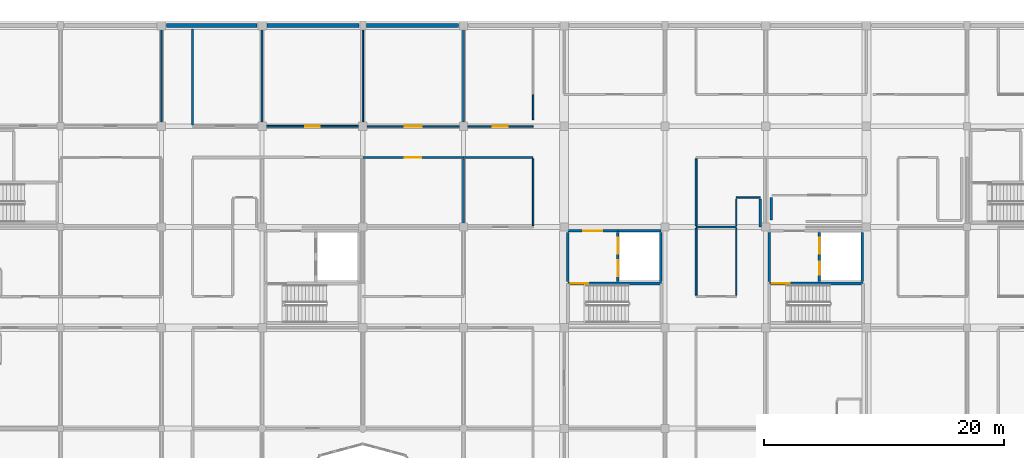
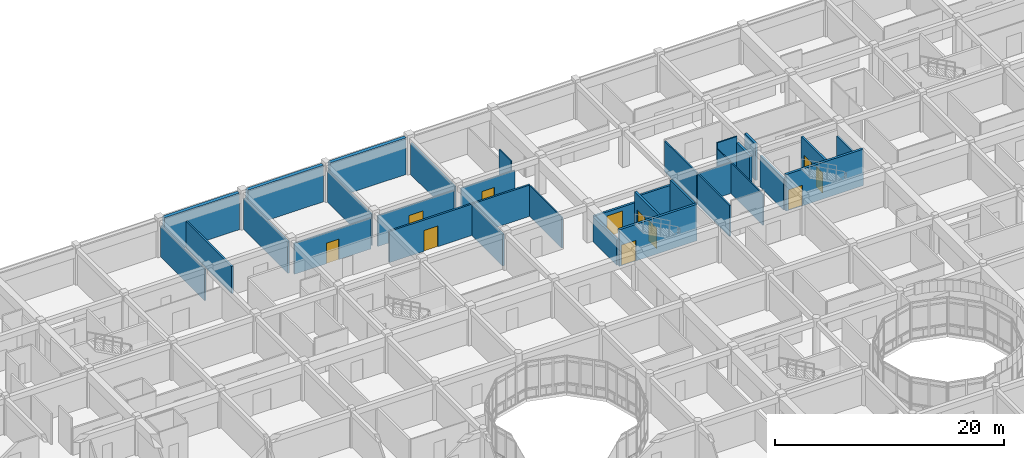
# One storey, part 93 of 119: 34 walls, 11 doors, 11 openings.
"""IFC4 building model written with IfcOpenShell, lengths in metres."""

import ifcopenshell
import ifcopenshell.guid

model = None  # the IFC model being written
_history = None  # IfcOwnerHistory: only IFC2X3 demands one
_inside = {}  # id of a spatial element -> (the spatial element, [elements in it])
_under = {}  # id of a project, library or spatial element -> (it, [spatial elements below it])
_declared = {}  # id of a project -> (the project, [libraries it declares])
_typed = {}  # id of a type object -> (the type object, [elements of that type])
_made_of = {}  # id of a material, layer set ... -> (it, [elements and type objects made of it])


def new_model(schema):
    """Start an empty IFC model of exactly this schema.

    Asked for "IFC4X3", IfcOpenShell would pick the latest addendum, in which some entities
    have other attributes; the version numbers below select the first issue.
    IFC2X3 requires an IfcOwnerHistory on every rooted entity: one is made here for all.
    """
    global model, _history
    if schema == "IFC4X3":
        model = ifcopenshell.file(schema_version=(4, 3, 0, 0))
    else:
        model = ifcopenshell.file(schema=schema)
    _inside.clear()
    _under.clear()
    _declared.clear()
    _typed.clear()
    _made_of.clear()
    _history = None
    if model.schema == "IFC2X3":
        org = make("IfcOrganization", Name="unknown")
        user = make(
            "IfcPersonAndOrganization",
            ThePerson=make("IfcPerson", FamilyName="unknown"),
            TheOrganization=org,
        )
        app = make(
            "IfcApplication",
            ApplicationDeveloper=org,
            Version="unknown",
            ApplicationFullName="unknown",
            ApplicationIdentifier="unknown",
        )
        _history = make(
            "IfcOwnerHistory",
            OwningUser=user,
            OwningApplication=app,
            ChangeAction="ADDED",
            CreationDate=0,
        )
    return model


def make(cls, **values):
    """One entity of the class cls with the attributes given. An attribute that is None is left unset."""
    return model.create_entity(
        cls, **{name: value for name, value in values.items() if value is not None}
    )


def rooted(cls, **values):
    """An entity with a GlobalId (a new one), such as an element, a storey or a relation."""
    return make(cls, GlobalId=ifcopenshell.guid.new(), OwnerHistory=_history, **values)


def si_unit(unit_type, name, prefix=None):
    """IfcSIUnit, for example si_unit("LENGTHUNIT", "METRE", prefix="MILLI")."""
    return make("IfcSIUnit", UnitType=unit_type, Prefix=prefix, Name=name)


def assignment(units):
    """IfcUnitAssignment: the units of a project."""
    return None if units is None else make("IfcUnitAssignment", Units=units)


def point(xyz):
    """IfcCartesianPoint."""
    return None if xyz is None else make("IfcCartesianPoint", Coordinates=xyz)


def direction(xyz):
    """IfcDirection."""
    return None if xyz is None else make("IfcDirection", DirectionRatios=xyz)


def frame(location, z_axis=None, x_axis=None):
    """IfcAxis2Placement3D, a coordinate frame: its origin and axes. An axis left out is left unset."""
    return make(
        "IfcAxis2Placement3D",
        Location=point(location),
        Axis=direction(z_axis),
        RefDirection=direction(x_axis),
    )


def frame_2d(location, x_axis=None):
    """IfcAxis2Placement2D, a coordinate frame in the plane: its origin and x axis."""
    return make(
        "IfcAxis2Placement2D", Location=point(location), RefDirection=direction(x_axis)
    )


def origin():
    """The frame at (0, 0, 0) with its axes left unset."""
    return frame((0.0, 0.0, 0.0))


def place(relative_to, where):
    """IfcLocalPlacement: puts the frame where relative to a parent placement (None: the world)."""
    return make(
        "IfcLocalPlacement", PlacementRelTo=relative_to, RelativePlacement=where
    )


def context(
    kind, dimensions, precision=None, world=None, true_north=None, identifier=None
):
    """IfcGeometricRepresentationContext, for example the 3D "Model" context."""
    return make(
        "IfcGeometricRepresentationContext",
        ContextIdentifier=identifier,
        ContextType=kind,
        CoordinateSpaceDimension=dimensions,
        Precision=precision,
        WorldCoordinateSystem=world,
        TrueNorth=true_north,
    )


def subcontext(parent, identifier, kind, view, scale=None):
    """IfcGeometricRepresentationSubContext, for example "Body" below "Model"."""
    return make(
        "IfcGeometricRepresentationSubContext",
        ContextIdentifier=identifier,
        ContextType=kind,
        ParentContext=parent,
        TargetScale=scale,
        TargetView=view,
    )


def project(units=None, contexts=None):
    """IfcProject with its units and contexts."""
    return rooted(
        "IfcProject",
        Name="project",
        RepresentationContexts=contexts,
        UnitsInContext=assignment(units),
    )


def spatial(cls, under=None, at=None, **own):
    """A site, building, storey or space (cls), placed at a placement, below another one or the project."""
    s = rooted(cls, ObjectPlacement=at, **own)
    if under is not None:
        _under.setdefault(under.id(), (under, []))[1].append(s)
    return s


def profile(cls, at=None, kind="AREA", **sizes):
    """A parametric profile (cls). Its sizes go by their IFC names, for example OverallWidth=200.0."""
    return make(cls, ProfileType=kind, Position=at, **sizes)


def rectangle(**sizes):
    """IfcRectangleProfileDef."""
    return profile("IfcRectangleProfileDef", **sizes)


def extrude(swept, where, along, depth):
    """IfcExtrudedAreaSolid: the profile swept, set in the frame where, extruded along a direction by depth."""
    return make(
        "IfcExtrudedAreaSolid",
        SweptArea=swept,
        Position=where,
        ExtrudedDirection=direction(along),
        Depth=depth,
    )


def shape(context_of_items, identifier, shape_type, items):
    """IfcShapeRepresentation: the items that make up one representation, for example the "Body"."""
    return make(
        "IfcShapeRepresentation",
        ContextOfItems=context_of_items,
        RepresentationIdentifier=identifier,
        RepresentationType=shape_type,
        Items=items,
    )


def material(Name=None, Category=None):
    """IfcMaterial."""
    return make("IfcMaterial", Name=Name, Category=Category)


def layer(
    of_material, thickness, ventilated=None, Name=None, Category=None, Priority=None
):
    """IfcMaterialLayer: one layer of a wall or slab, of a material (None: an air gap)."""
    return make(
        "IfcMaterialLayer",
        Material=of_material,
        LayerThickness=thickness,
        IsVentilated=ventilated,
        Name=Name,
        Category=Category,
        Priority=Priority,
    )


def layer_set(layers, Name=None):
    """IfcMaterialLayerSet."""
    return make("IfcMaterialLayerSet", MaterialLayers=layers, LayerSetName=Name)


def made_of(thing, what):
    """Note that an element or type object is made of a material, layer set ...; save() writes the relation."""
    if what is not None:
        _made_of.setdefault(what.id(), (what, []))[1].append(thing)
    return thing


def type_object(cls, material=None, **own):
    """A type object (cls), such as IfcWallType, which elements share."""
    return made_of(rooted(cls, **own), material)


def element(
    cls,
    number,
    at=None,
    inside=None,
    cuts=None,
    type_object=None,
    material=None,
    context=None,
    identifier="Body",
    shape_type=None,
    held_by="IfcProductDefinitionShape",
    body=None,
    shapes=None,
    **own,
):
    """One element of the class cls, such as IfcWall. Its Tag is "e" and its number.

    at: its placement. inside: the storey or other place that contains it. cuts: it is an
    opening in that element (IfcRelVoidsElement). A single representation is given by context,
    identifier, shape_type and body (its items); several are given by shapes. held_by: the class
    of the entity that holds the representations. save() writes the other relations.
    """
    e = rooted(cls, Tag="e%d" % number, ObjectPlacement=at, **own)
    if body is not None:
        shapes = [shape(context, identifier, shape_type, body)]
    if shapes is not None:
        e.Representation = make(held_by, Representations=shapes)
    if inside is not None:
        _inside.setdefault(inside.id(), (inside, []))[1].append(e)
    if cuts is not None:
        rooted(
            "IfcRelVoidsElement", RelatingBuildingElement=cuts, RelatedOpeningElement=e
        )
    if type_object is not None:
        _typed.setdefault(type_object.id(), (type_object, []))[1].append(e)
    return made_of(e, material)


def fill(opening, filler):
    """IfcRelFillsElement: the door or window that sits in an opening."""
    return rooted(
        "IfcRelFillsElement",
        RelatingOpeningElement=opening,
        RelatedBuildingElement=filler,
    )


def aggregate(whole, parts):
    """IfcRelAggregates: a whole, such as a stair, and the parts it consists of."""
    return rooted("IfcRelAggregates", RelatingObject=whole, RelatedObjects=parts)


def save(model, path):
    """Write the relations noted so far, then the file.

    IfcRelAggregates (storeys below a building ...), IfcRelContainedInSpatialStructure (elements
    in a storey), IfcRelDefinesByType, IfcRelAssociatesMaterial and IfcRelDeclares: one each for
    every whole, place, type object, material and project.
    """
    for whole, parts in _under.values():
        aggregate(whole, parts)
    for where, things in _inside.values():
        rooted(
            "IfcRelContainedInSpatialStructure",
            RelatedElements=things,
            RelatingStructure=where,
        )
    for kind, things in _typed.values():
        rooted("IfcRelDefinesByType", RelatedObjects=things, RelatingType=kind)
    for what, things in _made_of.values():
        rooted("IfcRelAssociatesMaterial", RelatedObjects=things, RelatingMaterial=what)
    for by, libraries in _declared.values():
        rooted("IfcRelDeclares", RelatingContext=by, RelatedDefinitions=libraries)
    model.write(path)


model = new_model("IFC4")

# Units and contexts
model_context = context("Model", 3, precision=1e-05, world=origin(), true_north=direction((0.0, 1.0)))
body_context = subcontext(model_context, "Body", "Model", "MODEL_VIEW")
ifc_project = project(units=[si_unit("LENGTHUNIT", "METRE"), si_unit("AREAUNIT", "SQUARE_METRE"), si_unit("VOLUMEUNIT", "CUBIC_METRE"), si_unit("PLANEANGLEUNIT", "RADIAN"), si_unit("MASSUNIT", "GRAM", prefix="KILO")], contexts=[model_context])

# Site, building, storey
site_placement = place(None, origin())
site = spatial("IfcSite", under=ifc_project, at=site_placement, CompositionType="ELEMENT")
building_placement = place(site_placement, origin())
building = spatial("IfcBuilding", under=site, at=building_placement, Name="Bramfleet General Hospital", CompositionType="ELEMENT")
storey_placement = place(building_placement, frame((0.0, 0.0, 14.39990234375)))
storey = spatial("IfcBuildingStorey", under=building, at=storey_placement, Name="L03", CompositionType="ELEMENT", Elevation=14.39990234375)

# Walls
ifc_material_1 = material(Name="Concrete C35/45", Category="concrete")
ifc_layer_1 = layer(ifc_material_1, 0.360107421875, Name="WT-EW-02")
ifc_layer_set_1 = layer_set([ifc_layer_1], Name="Concrete C35/45")
wall_type_1 = type_object("IfcWallType", Name="WT-EW-02", PredefinedType="SOLIDWALL", material=ifc_layer_set_1)
wall_1_placement = place(storey_placement, frame((67.625, 117.60009765625, 0.0), z_axis=(0.0, 0.0, 1.0), x_axis=(1.0, 0.0, 0.0)))
element("IfcWall", 1, at=wall_1_placement, inside=storey, type_object=wall_type_1, Name="L03 North REI 90-M Party Wall 245", PredefinedType="SOLIDWALL", context=body_context, shape_type="SweptSolid", body=[
    extrude(rectangle(XDim=7.550048828125, YDim=0.360107421875, at=frame_2d((3.77490234375, 0.0))), origin(), (0.0, 0.0, 1.0), 3.900146484375),
])
for number, where, z_axis, x_axis, name in (
    (2, (76.02490234375, 117.60009765625, 0.0), (0.0, 0.0, 1.0), (1.0, 0.0, 0.0), "L03 North REI 90-M Party Wall 246"),
    (3, (84.324951171875, 117.60009765625, 0.0), (0.0, 0.0, 1.0), (1.0, 0.0, 0.0), "L03 North REI 90-M Party Wall 247"),
):
    element("IfcWall", number, at=place(storey_placement, frame(where, z_axis=z_axis, x_axis=x_axis)), inside=storey, type_object=wall_type_1, Name=name, PredefinedType="SOLIDWALL", context=body_context, shape_type="SweptSolid", body=[
        extrude(rectangle(XDim=7.650146484375, YDim=0.360107421875, at=frame_2d((3.8251953125, 0.0))), origin(), (0.0, 0.0, 1.0), 3.900146484375),
    ])
ifc_layer_2 = layer(ifc_material_1, 0.219970703125, Name="WT-IW-01")
ifc_layer_set_2 = layer_set([ifc_layer_2], Name="Concrete C35/45")
wall_type_2 = type_object("IfcWallType", Name="WT-IW-01", PredefinedType="PARTITIONING", material=ifc_layer_set_2)
wall_2_placement = place(storey_placement, frame((117.14990234375, 100.800048828125, 0.0), z_axis=(0.0, 0.0, 1.0), x_axis=(0.0, 1.0, 0.0)))
element("IfcWall", 4, at=wall_2_placement, inside=storey, type_object=wall_type_2, Name="L03 Interior Partition IW-L03-2977", PredefinedType="PARTITIONING", context=body_context, shape_type="SweptSolid", body=[
    extrude(rectangle(XDim=2.3349609375, YDim=0.219970703125, at=frame_2d((1.16748046875, 0.0))), origin(), (0.0, 0.0, 1.0), 3.2900390625),
])

# Wall, openings, doors
ifc_layer_3 = layer(ifc_material_1, 0.205078125, Name="WT-IW-02")
ifc_layer_set_3 = layer_set([ifc_layer_3], Name="Concrete C35/45")
wall_type_3 = type_object("IfcWallType", Name="WT-IW-02", PredefinedType="PARTITIONING", material=ifc_layer_set_3)
wall_3_placement = place(storey_placement, frame((105.280029296875, 96.239990234375, 0.0), z_axis=(0.0, 0.0, 1.0), x_axis=(0.0, 1.0, 0.0)))
wall_3 = element("IfcWall", 5, at=wall_3_placement, inside=storey, type_object=wall_type_3, Name="L03 C4 Lobby East Shaft Wall", PredefinedType="PARTITIONING", context=body_context, shape_type="SweptSolid", body=[
    extrude(rectangle(XDim=4.1201171875, YDim=0.205078125, at=frame_2d((2.06005859375, 0.0))), origin(), (0.0, 0.0, 1.0), 3.89013671875),
])
opening_1_placement = place(wall_3_placement, frame((0.445068359375, 0.0, 0.0)))
opening_1 = element("IfcOpeningElement", 6, at=opening_1_placement, cuts=wall_3, Name="Opening LD-FL-02-L03", PredefinedType="OPENING", context=body_context, shape_type="SweptSolid", body=[
    extrude(rectangle(XDim=1.35009765625, YDim=2.199951171875, at=frame_2d((0.675048828125, 1.10009765625))), frame((0.0, 0.112548828125, 0.0), z_axis=(0.0, -1.0, 0.0), x_axis=(1.0, 0.0, 0.0)), (0.0, 0.0, 1.0), 0.22509765625),
])
opening_2_placement = place(wall_3_placement, frame((2.324951171875, 0.0, 0.0)))
opening_2 = element("IfcOpeningElement", 7, at=opening_2_placement, cuts=wall_3, Name="Opening LD-BL-04-L03", PredefinedType="OPENING", context=body_context, shape_type="SweptSolid", body=[
    extrude(rectangle(XDim=1.35009765625, YDim=2.199951171875, at=frame_2d((0.675048828125, 1.10009765625))), frame((0.0, 0.112548828125, 0.0), z_axis=(0.0, -1.0, 0.0), x_axis=(1.0, 0.0, 0.0)), (0.0, 0.0, 1.0), 0.22509765625),
])
ifc_material_2 = material(Name="Brushed stainless steel 1.4301", Category="steel")
door_type_1 = type_object("IfcDoorType", Name="DR-LD-01", OperationType="NOTDEFINED", PredefinedType="DOOR", material=ifc_material_2)
door_1_placement = place(opening_1_placement, origin())
door_1 = element("IfcDoor", 8, at=door_1_placement, inside=storey, type_object=door_type_1, Name="L03 Lift FL-02 Sliding Landing Door", OperationType="SLIDING_TO_LEFT", OverallHeight=2.199951171875, OverallWidth=1.35009765625, PredefinedType="DOOR", context=body_context, shape_type="SweptSolid", body=[
    extrude(rectangle(XDim=1.35009765625, YDim=2.199951171875, at=frame_2d((0.675048828125, 1.10009765625))), frame((0.0, 0.02490234375, 0.0), z_axis=(0.0, -1.0, 0.0), x_axis=(1.0, 0.0, 0.0)), (0.0, 0.0, 1.0), 0.050048828125),
])
fill(opening_1, door_1)
door_2_placement = place(opening_2_placement, origin())
door_2 = element("IfcDoor", 9, at=door_2_placement, inside=storey, type_object=door_type_1, Name="L03 Lift BL-04 Sliding Landing Door", OperationType="SLIDING_TO_LEFT", OverallHeight=2.199951171875, OverallWidth=1.35009765625, PredefinedType="DOOR", context=body_context, shape_type="SweptSolid", body=[
    extrude(rectangle(XDim=1.35009765625, YDim=2.199951171875, at=frame_2d((0.675048828125, 1.10009765625))), frame((0.0, 0.02490234375, 0.0), z_axis=(0.0, -1.0, 0.0), x_axis=(1.0, 0.0, 0.0)), (0.0, 0.0, 1.0), 0.050048828125),
])
fill(opening_2, door_2)

# Walls
wall_4_placement = place(storey_placement, frame((108.85009765625, 96.239990234375, 0.0), z_axis=(0.0, 0.0, 1.0), x_axis=(0.0, 1.0, 0.0)))
element("IfcWall", 10, at=wall_4_placement, inside=storey, type_object=wall_type_3, Name="L03 C4 Lift Shaft East Wall", PredefinedType="PARTITIONING", context=body_context, shape_type="SweptSolid", body=[
    extrude(rectangle(XDim=4.1201171875, YDim=0.205078125, at=frame_2d((2.06005859375, 0.0))), origin(), (0.0, 0.0, 1.0), 3.89013671875),
])
wall_5_placement = place(storey_placement, frame((105.280029296875, 100.47998046875, 0.0), z_axis=(0.0, 0.0, 1.0), x_axis=(1.0, 0.0, 0.0)))
element("IfcWall", 11, at=wall_5_placement, inside=storey, type_object=wall_type_3, Name="L03 C4 Lift Shaft North Wall", PredefinedType="PARTITIONING", context=body_context, shape_type="SweptSolid", body=[
    extrude(rectangle(XDim=3.570068359375, YDim=0.205078125, at=frame_2d((1.78515625, 0.0))), origin(), (0.0, 0.0, 1.0), 3.2900390625),
])
wall_6_placement = place(storey_placement, frame((101.10009765625, 96.239990234375, 0.0), z_axis=(0.0, 0.0, 1.0), x_axis=(0.0, 1.0, 0.0)))
element("IfcWall", 12, at=wall_6_placement, inside=storey, type_object=wall_type_3, Name="L03 C4 Lobby West Compartment Wall", PredefinedType="PARTITIONING", context=body_context, shape_type="SweptSolid", body=[
    extrude(rectangle(XDim=4.1201171875, YDim=0.205078125, at=frame_2d((2.06005859375, 0.0))), origin(), (0.0, 0.0, 1.0), 2.690185546875),
])

# Wall, opening, door
wall_7_placement = place(storey_placement, frame((101.10009765625, 100.47998046875, 0.0), z_axis=(0.0, 0.0, 1.0), x_axis=(1.0, 0.0, 0.0)))
wall_7 = element("IfcWall", 13, at=wall_7_placement, inside=storey, type_object=wall_type_3, Name="L03 C4 Lobby North Compartment Wall", PredefinedType="PARTITIONING", context=body_context, shape_type="SweptSolid", body=[
    extrude(rectangle(XDim=4.179931640625, YDim=0.205078125, at=frame_2d((2.08984375, 0.0))), origin(), (0.0, 0.0, 1.0), 2.690185546875),
])
opening_3_placement = place(wall_7_placement, frame((1.2900390625, 0.0, 0.0)))
opening_3 = element("IfcOpeningElement", 14, at=opening_3_placement, cuts=wall_7, Name="Opening D0046", PredefinedType="OPENING", context=body_context, shape_type="SweptSolid", body=[
    extrude(rectangle(XDim=1.60009765625, YDim=2.25, at=frame_2d((0.800048828125, 1.125))), frame((0.0, 0.112548828125, 0.0), z_axis=(0.0, -1.0, 0.0), x_axis=(1.0, 0.0, 0.0)), (0.0, 0.0, 1.0), 0.22509765625),
])
ifc_material_3 = material(Name="Stainless steel and acoustic timber leaf", Category="steel")
door_type_2 = type_object("IfcDoorType", Name="DR-D-04", OperationType="NOTDEFINED", PredefinedType="DOOR", material=ifc_material_3)
door_3_placement = place(opening_3_placement, origin())
door_3 = element("IfcDoor", 15, at=door_3_placement, inside=storey, type_object=door_type_2, Name="L03 C4 Lobby Fire Door D0046", OperationType="DOUBLE_SWING_LEFT", OverallHeight=2.25, OverallWidth=1.60009765625, PredefinedType="DOOR", context=body_context, shape_type="SweptSolid", body=[
    extrude(rectangle(XDim=1.60009765625, YDim=2.25, at=frame_2d((0.800048828125, 1.125))), frame((0.0, 0.02490234375, 0.0), z_axis=(0.0, -1.0, 0.0), x_axis=(1.0, 0.0, 0.0)), (0.0, 0.0, 1.0), 0.050048828125),
])
fill(opening_3, door_3)

# Wall, openings, doors
wall_8_placement = place(storey_placement, frame((122.080078125, 96.239990234375, 0.0), z_axis=(0.0, 0.0, 1.0), x_axis=(0.0, 1.0, 0.0)))
wall_8 = element("IfcWall", 16, at=wall_8_placement, inside=storey, type_object=wall_type_3, Name="L03 C6 Lobby East Shaft Wall", PredefinedType="PARTITIONING", context=body_context, shape_type="SweptSolid", body=[
    extrude(rectangle(XDim=4.1201171875, YDim=0.205078125, at=frame_2d((2.06005859375, 0.0))), origin(), (0.0, 0.0, 1.0), 3.89013671875),
])
opening_4_placement = place(wall_8_placement, frame((0.570068359375, 0.0, 0.0)))
opening_4 = element("IfcOpeningElement", 17, at=opening_4_placement, cuts=wall_8, Name="Opening LD-PL-04-L03", PredefinedType="OPENING", context=body_context, shape_type="SweptSolid", body=[
    extrude(rectangle(XDim=1.10009765625, YDim=2.14990234375, at=frame_2d((0.550048828125, 1.074951171875))), frame((0.0, 0.112548828125, 0.0), z_axis=(0.0, -1.0, 0.0), x_axis=(1.0, 0.0, 0.0)), (0.0, 0.0, 1.0), 0.22509765625),
])
opening_5_placement = place(wall_8_placement, frame((2.324951171875, 0.0, 0.0)))
opening_5 = element("IfcOpeningElement", 18, at=opening_5_placement, cuts=wall_8, Name="Opening LD-GL-02-L03", PredefinedType="OPENING", context=body_context, shape_type="SweptSolid", body=[
    extrude(rectangle(XDim=1.35009765625, YDim=2.199951171875, at=frame_2d((0.675048828125, 1.10009765625))), frame((0.0, 0.112548828125, 0.0), z_axis=(0.0, -1.0, 0.0), x_axis=(1.0, 0.0, 0.0)), (0.0, 0.0, 1.0), 0.22509765625),
])
door_4_placement = place(opening_5_placement, origin())
door_4 = element("IfcDoor", 19, at=door_4_placement, inside=storey, type_object=door_type_1, Name="L03 Lift GL-02 Sliding Landing Door", OperationType="SLIDING_TO_LEFT", OverallHeight=2.199951171875, OverallWidth=1.35009765625, PredefinedType="DOOR", context=body_context, shape_type="SweptSolid", body=[
    extrude(rectangle(XDim=1.35009765625, YDim=2.199951171875, at=frame_2d((0.675048828125, 1.10009765625))), frame((0.0, 0.02490234375, 0.0), z_axis=(0.0, -1.0, 0.0), x_axis=(1.0, 0.0, 0.0)), (0.0, 0.0, 1.0), 0.050048828125),
])
fill(opening_5, door_4)
door_type_3 = type_object("IfcDoorType", Name="DR-LD-02", OperationType="NOTDEFINED", PredefinedType="DOOR", material=ifc_material_2)
door_5_placement = place(opening_4_placement, origin())
door_5 = element("IfcDoor", 20, at=door_5_placement, inside=storey, type_object=door_type_3, Name="L03 Lift PL-04 Sliding Landing Door", OperationType="SLIDING_TO_LEFT", OverallHeight=2.14990234375, OverallWidth=1.10009765625, PredefinedType="DOOR", context=body_context, shape_type="SweptSolid", body=[
    extrude(rectangle(XDim=1.10009765625, YDim=2.14990234375, at=frame_2d((0.550048828125, 1.074951171875))), frame((0.0, 0.02490234375, 0.0), z_axis=(0.0, -1.0, 0.0), x_axis=(1.0, 0.0, 0.0)), (0.0, 0.0, 1.0), 0.050048828125),
])
fill(opening_4, door_5)

# Walls
wall_9_placement = place(storey_placement, frame((125.64990234375, 96.239990234375, 0.0), z_axis=(0.0, 0.0, 1.0), x_axis=(0.0, 1.0, 0.0)))
element("IfcWall", 21, at=wall_9_placement, inside=storey, type_object=wall_type_3, Name="L03 C6 Lift Shaft East Wall", PredefinedType="PARTITIONING", context=body_context, shape_type="SweptSolid", body=[
    extrude(rectangle(XDim=4.1201171875, YDim=0.205078125, at=frame_2d((2.06005859375, 0.0))), origin(), (0.0, 0.0, 1.0), 2.690185546875),
])
wall_10_placement = place(storey_placement, frame((117.89990234375, 96.239990234375, 0.0), z_axis=(0.0, 0.0, 1.0), x_axis=(0.0, 1.0, 0.0)))
element("IfcWall", 22, at=wall_10_placement, inside=storey, type_object=wall_type_3, Name="L03 C6 Lobby West Compartment Wall", PredefinedType="PARTITIONING", context=body_context, shape_type="SweptSolid", body=[
    extrude(rectangle(XDim=4.1201171875, YDim=0.205078125, at=frame_2d((2.06005859375, 0.0))), origin(), (0.0, 0.0, 1.0), 3.340087890625),
])
wall_11_placement = place(storey_placement, frame((118.050048828125, 101.364990234375, 0.0), z_axis=(0.0, 0.0, 1.0), x_axis=(0.0, 1.0, 0.0)))
element("IfcWall", 23, at=wall_11_placement, inside=storey, type_object=wall_type_3, Name="L03 Interior Partition IW-L03-2990", PredefinedType="PARTITIONING", context=body_context, shape_type="SweptSolid", body=[
    extrude(rectangle(XDim=1.885009765625, YDim=0.205078125, at=frame_2d((0.9423828125, 0.0))), origin(), (0.0, 0.0, 1.0), 3.89013671875),
])

# Wall, opening, door
ifc_layer_4 = layer(ifc_material_1, 0.18994140625, Name="WT-IW-03")
ifc_layer_set_4 = layer_set([ifc_layer_4], Name="Concrete C35/45")
wall_type_4 = type_object("IfcWallType", Name="WT-IW-03", PredefinedType="PARTITIONING", material=ifc_layer_set_4)
wall_12_placement = place(storey_placement, frame((84.0, 106.60009765625, 0.0), z_axis=(0.0, 0.0, 1.0), x_axis=(1.0, 0.0, 0.0)))
wall_12 = element("IfcWall", 24, at=wall_12_placement, inside=storey, type_object=wall_type_4, Name="L03 Interior Partition IW-L03-2727", PredefinedType="PARTITIONING", context=body_context, shape_type="SweptSolid", body=[
    extrude(rectangle(XDim=8.39990234375, YDim=0.18994140625, at=frame_2d((4.199951171875, 0.0))), origin(), (0.0, 0.0, 1.0), 3.340087890625),
])
opening_6_placement = place(wall_12_placement, frame((3.510009765625, 0.0, 0.0)))
opening_6 = element("IfcOpeningElement", 25, at=opening_6_placement, cuts=wall_12, Name="Opening D1118", PredefinedType="OPENING", context=body_context, shape_type="SweptSolid", body=[
    extrude(rectangle(XDim=1.3798828125, YDim=2.219970703125, at=frame_2d((0.68994140625, 1.10986328125))), frame((0.0, 0.10498046875, 0.0), z_axis=(0.0, -1.0, 0.0), x_axis=(1.0, 0.0, 0.0)), (0.0, 0.0, 1.0), 0.2099609375),
])
door_type_4 = type_object("IfcDoorType", Name="DR-D-30", OperationType="NOTDEFINED", PredefinedType="DOOR", material=ifc_material_3)
door_6_placement = place(opening_6_placement, origin())
door_6 = element("IfcDoor", 26, at=door_6_placement, inside=storey, type_object=door_type_4, Name="Maternity Delivery Suite and Clinical Lab L03-1012 Door D1118", OperationType="SINGLE_SWING_LEFT", OverallHeight=2.219970703125, OverallWidth=1.3798828125, PredefinedType="DOOR", context=body_context, shape_type="SweptSolid", body=[
    extrude(rectangle(XDim=1.3798828125, YDim=2.219970703125, at=frame_2d((0.68994140625, 1.10986328125))), frame((0.0, 0.02490234375, 0.0), z_axis=(0.0, -1.0, 0.0), x_axis=(1.0, 0.0, 0.0)), (0.0, 0.0, 1.0), 0.050048828125),
])
fill(opening_6, door_6)

# Walls
wall_13_placement = place(storey_placement, frame((75.60009765625, 109.544921875, 0.0), z_axis=(0.0, 0.0, 1.0), x_axis=(0.0, 1.0, 0.0)))
element("IfcWall", 27, at=wall_13_placement, inside=storey, type_object=wall_type_4, Name="L03 Interior Partition IW-L03-2907", PredefinedType="PARTITIONING", context=body_context, shape_type="SweptSolid", body=[
    extrude(rectangle(XDim=7.7099609375, YDim=0.18994140625, at=frame_2d((3.85498046875, 0.0))), origin(), (0.0, 0.0, 1.0), 3.340087890625),
])
ifc_layer_5 = layer(ifc_material_1, 0.179931640625, Name="WT-IW-04")
ifc_layer_set_5 = layer_set([ifc_layer_5], Name="Concrete C35/45")
wall_type_5 = type_object("IfcWallType", Name="WT-IW-04", PredefinedType="PARTITIONING", material=ifc_layer_set_5)
wall_14_placement = place(storey_placement, frame((92.39990234375, 106.60009765625, 0.0), z_axis=(0.0, 0.0, 1.0), x_axis=(1.0, 0.0, 0.0)))
element("IfcWall", 28, at=wall_14_placement, inside=storey, type_object=wall_type_5, Name="L03 Interior Partition IW-L03-2728", PredefinedType="PARTITIONING", context=body_context, shape_type="SweptSolid", body=[
    extrude(rectangle(XDim=5.800048828125, YDim=0.179931640625, at=frame_2d((2.89990234375, 0.0))), origin(), (0.0, 0.0, 1.0), 3.340087890625),
])
wall_15_placement = place(storey_placement, frame((92.39990234375, 101.14501953125, 0.0), z_axis=(0.0, 0.0, 1.0), x_axis=(0.0, 1.0, 0.0)))
element("IfcWall", 29, at=wall_15_placement, inside=storey, type_object=wall_type_5, Name="L03 Interior Partition IW-L03-2920", PredefinedType="PARTITIONING", context=body_context, shape_type="SweptSolid", body=[
    extrude(rectangle(XDim=5.340087890625, YDim=0.179931640625, at=frame_2d((2.669921875, 0.0))), origin(), (0.0, 0.0, 1.0), 3.340087890625),
])
ifc_material_4 = material(Name="Gypsum plasterboard on acoustic steel studs", Category="steel")
ifc_layer_6 = layer(ifc_material_4, 0.169921875, Name="WT-IW-05")
ifc_layer_set_6 = layer_set([ifc_layer_6], Name="Gypsum plasterboard on acoustic steel studs")
wall_type_6 = type_object("IfcWallType", Name="WT-IW-05", PredefinedType="PARTITIONING", material=ifc_layer_set_6)
wall_16_placement = place(storey_placement, frame((69.800048828125, 109.31494140625, 0.0), z_axis=(0.0, 0.0, 1.0), x_axis=(0.0, 1.0, 0.0)))
element("IfcWall", 30, at=wall_16_placement, inside=storey, type_object=wall_type_6, Name="L03 Interior Partition IW-L03-2897", PredefinedType="PARTITIONING", context=body_context, shape_type="SweptSolid", body=[
    extrude(rectangle(XDim=8.005126953125, YDim=0.169921875, at=frame_2d((4.00244140625, 0.0))), origin(), (0.0, 0.0, 1.0), 2.89013671875),
])
wall_17_placement = place(storey_placement, frame((92.39990234375, 109.544921875, 0.0), z_axis=(0.0, 0.0, 1.0), x_axis=(0.0, 1.0, 0.0)))
element("IfcWall", 31, at=wall_17_placement, inside=storey, type_object=wall_type_6, Name="L03 Interior Partition IW-L03-2921", PredefinedType="PARTITIONING", context=body_context, shape_type="SweptSolid", body=[
    extrude(rectangle(XDim=7.7099609375, YDim=0.169921875, at=frame_2d((3.85498046875, 0.0))), origin(), (0.0, 0.0, 1.0), 3.340087890625),
])
ifc_layer_7 = layer(ifc_material_4, 0.159912109375, Name="WT-IW-06")
ifc_layer_set_7 = layer_set([ifc_layer_7], Name="Gypsum plasterboard on acoustic steel studs")
wall_type_7 = type_object("IfcWallType", Name="WT-IW-06", PredefinedType="PARTITIONING", material=ifc_layer_set_7)
wall_18_placement = place(storey_placement, frame((111.800048828125, 95.114990234375, 0.0), z_axis=(0.0, 0.0, 1.0), x_axis=(0.0, 1.0, 0.0)))
element("IfcWall", 32, at=wall_18_placement, inside=storey, type_object=wall_type_7, Name="L03 Interior Partition IW-L03-2970", PredefinedType="PARTITIONING", context=body_context, shape_type="SweptSolid", body=[
    extrude(rectangle(XDim=5.570068359375, YDim=0.159912109375, at=frame_2d((2.78515625, 0.0))), origin(), (0.0, 0.0, 1.0), 3.2900390625),
])
ifc_layer_8 = layer(ifc_material_4, 0.14990234375, Name="WT-IW-07")
ifc_layer_set_8 = layer_set([ifc_layer_8], Name="Gypsum plasterboard on acoustic steel studs")
wall_type_8 = type_object("IfcWallType", Name="WT-IW-07", PredefinedType="PARTITIONING", material=ifc_layer_set_8)
wall_19_placement = place(storey_placement, frame((111.800048828125, 100.9150390625, 0.0), z_axis=(0.0, 0.0, 1.0), x_axis=(0.0, 1.0, 0.0)))
element("IfcWall", 33, at=wall_19_placement, inside=storey, type_object=wall_type_8, Name="L03 Interior Partition IW-L03-2971", PredefinedType="PARTITIONING", context=body_context, shape_type="SweptSolid", body=[
    extrude(rectangle(XDim=5.570068359375, YDim=0.14990234375, at=frame_2d((2.78515625, 0.0))), origin(), (0.0, 0.0, 1.0), 3.2900390625),
])

# Wall, opening, door
ifc_layer_9 = layer(ifc_material_4, 0.139892578125, Name="WT-IW-08")
ifc_layer_set_9 = layer_set([ifc_layer_9], Name="Gypsum plasterboard on acoustic steel studs")
wall_type_9 = type_object("IfcWallType", Name="WT-IW-08", PredefinedType="PARTITIONING", material=ifc_layer_set_9)
wall_20_placement = place(storey_placement, frame((75.945068359375, 109.199951171875, 0.0), z_axis=(0.0, 0.0, 1.0), x_axis=(1.0, 0.0, 0.0)))
wall_20 = element("IfcWall", 34, at=wall_20_placement, inside=storey, type_object=wall_type_9, Name="L03 Interior Partition IW-L03-2744", PredefinedType="PARTITIONING", context=body_context, shape_type="SweptSolid", body=[
    extrude(rectangle(XDim=7.7099609375, YDim=0.139892578125, at=frame_2d((3.85498046875, 0.0))), origin(), (0.0, 0.0, 1.0), 3.2900390625),
])
opening_7_placement = place(wall_20_placement, frame((3.2451171875, 0.0, 0.0)))
opening_7 = element("IfcOpeningElement", 35, at=opening_7_placement, cuts=wall_20, Name="Opening D1111", PredefinedType="OPENING", context=body_context, shape_type="SweptSolid", body=[
    extrude(rectangle(XDim=1.219970703125, YDim=2.179931640625, at=frame_2d((0.60986328125, 1.08984375))), frame((0.0, 0.079833984375, 0.0), z_axis=(0.0, -1.0, 0.0), x_axis=(1.0, 0.0, 0.0)), (0.0, 0.0, 1.0), 0.159912109375),
])
door_type_5 = type_object("IfcDoorType", Name="DR-D-23", OperationType="NOTDEFINED", PredefinedType="DOOR", material=ifc_material_3)
door_7_placement = place(opening_7_placement, origin())
door_7 = element("IfcDoor", 36, at=door_7_placement, inside=storey, type_object=door_type_5, Name="Maternity Delivery Suite and Clinical Lab L03-0913 Door D1111", OperationType="SINGLE_SWING_RIGHT", OverallHeight=2.179931640625, OverallWidth=1.219970703125, PredefinedType="DOOR", context=body_context, shape_type="SweptSolid", body=[
    extrude(rectangle(XDim=1.219970703125, YDim=2.179931640625, at=frame_2d((0.60986328125, 1.08984375))), frame((0.0, 0.02490234375, 0.0), z_axis=(0.0, -1.0, 0.0), x_axis=(1.0, 0.0, 0.0)), (0.0, 0.0, 1.0), 0.050048828125),
])
fill(opening_7, door_7)

# Walls
ifc_layer_10 = layer(ifc_material_4, 0.1298828125, Name="WT-IW-09")
ifc_layer_set_10 = layer_set([ifc_layer_10], Name="Gypsum plasterboard on acoustic steel studs")
wall_type_10 = type_object("IfcWallType", Name="WT-IW-09", PredefinedType="PARTITIONING", material=ifc_layer_set_10)
wall_21_placement = place(storey_placement, frame((111.800048828125, 100.800048828125, 0.0), z_axis=(0.0, 0.0, 1.0), x_axis=(1.0, 0.0, 0.0)))
element("IfcWall", 37, at=wall_21_placement, inside=storey, type_object=wall_type_10, Name="L03 Interior Partition IW-L03-2697", PredefinedType="PARTITIONING", context=body_context, shape_type="SweptSolid", body=[
    extrude(rectangle(XDim=3.349853515625, YDim=0.1298828125, at=frame_2d((1.6748046875, 0.0))), origin(), (0.0, 0.0, 1.0), 3.2900390625),
])
wall_22_placement = place(storey_placement, frame((115.14990234375, 103.25, 0.0), z_axis=(0.0, 0.0, 1.0), x_axis=(1.0, 0.0, 0.0)))
element("IfcWall", 38, at=wall_22_placement, inside=storey, type_object=wall_type_10, Name="L03 Interior Partition IW-L03-2709", PredefinedType="PARTITIONING", context=body_context, shape_type="SweptSolid", body=[
    extrude(rectangle(XDim=2.0, YDim=0.1298828125, at=frame_2d((1.0, 0.0))), origin(), (0.0, 0.0, 1.0), 3.89013671875),
])

# Wall, opening, door
wall_23_placement = place(storey_placement, frame((84.344970703125, 109.199951171875, 0.0), z_axis=(0.0, 0.0, 1.0), x_axis=(1.0, 0.0, 0.0)))
wall_23 = element("IfcWall", 39, at=wall_23_placement, inside=storey, type_object=wall_type_10, Name="L03 Interior Partition IW-L03-2745", PredefinedType="PARTITIONING", context=body_context, shape_type="SweptSolid", body=[
    extrude(rectangle(XDim=7.7099609375, YDim=0.1298828125, at=frame_2d((3.85498046875, 0.0))), origin(), (0.0, 0.0, 1.0), 3.2900390625),
])
opening_8_placement = place(wall_23_placement, frame((3.14501953125, 0.0, 0.0)))
opening_8 = element("IfcOpeningElement", 40, at=opening_8_placement, cuts=wall_23, Name="Opening D1119", PredefinedType="OPENING", context=body_context, shape_type="SweptSolid", body=[
    extrude(rectangle(XDim=1.419921875, YDim=2.219970703125, at=frame_2d((0.7099609375, 1.10986328125))), frame((0.0, 0.074951171875, 0.0), z_axis=(0.0, -1.0, 0.0), x_axis=(1.0, 0.0, 0.0)), (0.0, 0.0, 1.0), 0.14990234375),
])
door_type_6 = type_object("IfcDoorType", Name="DR-D-31", OperationType="NOTDEFINED", PredefinedType="DOOR", material=ifc_material_3)
door_8_placement = place(opening_8_placement, origin())
door_8 = element("IfcDoor", 41, at=door_8_placement, inside=storey, type_object=door_type_6, Name="Maternity Delivery Suite and Clinical Lab L03-1013 Door D1119", OperationType="SINGLE_SWING_RIGHT", OverallHeight=2.219970703125, OverallWidth=1.419921875, PredefinedType="DOOR", context=body_context, shape_type="SweptSolid", body=[
    extrude(rectangle(XDim=1.419921875, YDim=2.219970703125, at=frame_2d((0.7099609375, 1.10986328125))), frame((0.0, 0.02490234375, 0.0), z_axis=(0.0, -1.0, 0.0), x_axis=(1.0, 0.0, 0.0)), (0.0, 0.0, 1.0), 0.050048828125),
])
fill(opening_8, door_8)

# Walls
wall_24_placement = place(storey_placement, frame((67.199951171875, 109.544921875, 0.0), z_axis=(0.0, 0.0, 1.0), x_axis=(0.0, 1.0, 0.0)))
element("IfcWall", 42, at=wall_24_placement, inside=storey, type_object=wall_type_10, Name="L03 Interior Partition IW-L03-2889", PredefinedType="PARTITIONING", context=body_context, shape_type="SweptSolid", body=[
    extrude(rectangle(XDim=7.7099609375, YDim=0.1298828125, at=frame_2d((3.85498046875, 0.0))), origin(), (0.0, 0.0, 1.0), 3.340087890625),
])
wall_25_placement = place(storey_placement, frame((84.0, 109.544921875, 0.0), z_axis=(0.0, 0.0, 1.0), x_axis=(0.0, 1.0, 0.0)))
element("IfcWall", 43, at=wall_25_placement, inside=storey, type_object=wall_type_10, Name="L03 Interior Partition IW-L03-2913", PredefinedType="PARTITIONING", context=body_context, shape_type="SweptSolid", body=[
    extrude(rectangle(XDim=7.68505859375, YDim=0.1298828125, at=frame_2d((3.842529296875, 0.0))), origin(), (0.0, 0.0, 1.0), 3.340087890625),
])
wall_26_placement = place(storey_placement, frame((98.199951171875, 100.9150390625, 0.0), z_axis=(0.0, 0.0, 1.0), x_axis=(0.0, 1.0, 0.0)))
element("IfcWall", 44, at=wall_26_placement, inside=storey, type_object=wall_type_10, Name="L03 Interior Partition IW-L03-2937", PredefinedType="PARTITIONING", context=body_context, shape_type="SweptSolid", body=[
    extrude(rectangle(XDim=5.570068359375, YDim=0.1298828125, at=frame_2d((2.78515625, 0.0))), origin(), (0.0, 0.0, 1.0), 3.2900390625),
])

# Wall, opening, door
ifc_layer_11 = layer(ifc_material_4, 0.1201171875, Name="WT-IW-10")
ifc_layer_set_11 = layer_set([ifc_layer_11], Name="Gypsum plasterboard on acoustic steel studs")
wall_type_11 = type_object("IfcWallType", Name="WT-IW-10", PredefinedType="PARTITIONING", material=ifc_layer_set_11)
wall_27_placement = place(storey_placement, frame((92.7451171875, 109.199951171875, 0.0), z_axis=(0.0, 0.0, 1.0), x_axis=(1.0, 0.0, 0.0)))
wall_27 = element("IfcWall", 45, at=wall_27_placement, inside=storey, type_object=wall_type_11, Name="L03 Interior Partition IW-L03-2746", PredefinedType="PARTITIONING", context=body_context, shape_type="SweptSolid", body=[
    extrude(rectangle(XDim=5.454833984375, YDim=0.1201171875, at=frame_2d((2.7275390625, 0.0))), origin(), (0.0, 0.0, 1.0), 3.2900390625),
])
opening_9_placement = place(wall_27_placement, frame((2.1025390625, 0.0, 0.0)))
opening_9 = element("IfcOpeningElement", 46, at=opening_9_placement, cuts=wall_27, Name="Opening D1134", PredefinedType="OPENING", context=body_context, shape_type="SweptSolid", body=[
    extrude(rectangle(XDim=1.25, YDim=2.199951171875, at=frame_2d((0.625, 1.10009765625))), frame((0.0, 0.070068359375, 0.0), z_axis=(0.0, -1.0, 0.0), x_axis=(1.0, 0.0, 0.0)), (0.0, 0.0, 1.0), 0.14013671875),
])
door_type_7 = type_object("IfcDoorType", Name="DR-D-14", OperationType="NOTDEFINED", PredefinedType="DOOR", material=ifc_material_3)
door_9_placement = place(opening_9_placement, origin())
door_9 = element("IfcDoor", 47, at=door_9_placement, inside=storey, type_object=door_type_7, Name="Maternity Delivery Suite and Clinical Lab L03-1113 Door D1134", OperationType="SINGLE_SWING_LEFT", OverallHeight=2.199951171875, OverallWidth=1.25, PredefinedType="DOOR", context=body_context, shape_type="SweptSolid", body=[
    extrude(rectangle(XDim=1.25, YDim=2.199951171875, at=frame_2d((0.625, 1.10009765625))), frame((0.0, 0.02490234375, 0.0), z_axis=(0.0, -1.0, 0.0), x_axis=(1.0, 0.0, 0.0)), (0.0, 0.0, 1.0), 0.050048828125),
])
fill(opening_9, door_9)

# Walls
wall_28_placement = place(storey_placement, frame((98.199951171875, 109.75, 0.0), z_axis=(0.0, 0.0, 1.0), x_axis=(0.0, 1.0, 0.0)))
element("IfcWall", 48, at=wall_28_placement, inside=storey, type_object=wall_type_11, Name="L03 Interior Partition IW-L03-2938", PredefinedType="PARTITIONING", context=body_context, shape_type="SweptSolid", body=[
    extrude(rectangle(XDim=2.10009765625, YDim=0.1201171875, at=frame_2d((1.050048828125, 0.0))), origin(), (0.0, 0.0, 1.0), 3.89013671875),
])
ifc_layer_12 = layer(ifc_material_4, 0.112060546875, Name="WT-IW-11")
ifc_layer_set_12 = layer_set([ifc_layer_12], Name="Gypsum plasterboard on acoustic steel studs")
wall_type_12 = type_object("IfcWallType", Name="WT-IW-11", PredefinedType="PARTITIONING", material=ifc_layer_set_12)
wall_29_placement = place(storey_placement, frame((115.14990234375, 95.114990234375, 0.0), z_axis=(0.0, 0.0, 1.0), x_axis=(0.0, 1.0, 0.0)))
element("IfcWall", 49, at=wall_29_placement, inside=storey, type_object=wall_type_12, Name="L03 Interior Partition IW-L03-2975", PredefinedType="PARTITIONING", context=body_context, shape_type="SweptSolid", body=[
    extrude(rectangle(XDim=5.570068359375, YDim=0.112060546875, at=frame_2d((2.78515625, 0.0))), origin(), (0.0, 0.0, 1.0), 3.2900390625),
])
ifc_layer_13 = layer(ifc_material_4, 0.10009765625, Name="WT-IW-12")
ifc_layer_set_13 = layer_set([ifc_layer_13], Name="Gypsum plasterboard on acoustic steel studs")
wall_type_13 = type_object("IfcWallType", Name="WT-IW-12", PredefinedType="PARTITIONING", material=ifc_layer_set_13)
wall_30_placement = place(storey_placement, frame((115.14990234375, 100.9150390625, 0.0), z_axis=(0.0, 0.0, 1.0), x_axis=(0.0, 1.0, 0.0)))
element("IfcWall", 50, at=wall_30_placement, inside=storey, type_object=wall_type_13, Name="L03 Interior Partition IW-L03-2976", PredefinedType="PARTITIONING", context=body_context, shape_type="SweptSolid", body=[
    extrude(rectangle(XDim=2.219970703125, YDim=0.10009765625, at=frame_2d((1.10986328125, 0.0))), origin(), (0.0, 0.0, 1.0), 3.2900390625),
])

# Wall, opening, door
ifc_material_5 = material(Name="Concrete C40/50", Category="concrete")
ifc_layer_14 = layer(ifc_material_5, 0.239990234375, Name="WT-SW-240")
ifc_layer_set_14 = layer_set([ifc_layer_14], Name="Concrete C40/50")
wall_type_14 = type_object("IfcWallType", Name="WT-SW-240", PredefinedType="SHEAR", material=ifc_layer_set_14)
wall_31_placement = place(storey_placement, frame((101.10009765625, 96.10009765625, 0.0), z_axis=(0.0, 0.0, 1.0), x_axis=(1.0, 0.0, 0.0)))
wall_31 = element("IfcWall", 51, at=wall_31_placement, inside=storey, type_object=wall_type_14, Name="L03 C4 Stair-Lobby Shear Wall", PredefinedType="SHEAR", context=body_context, shape_type="SweptSolid", body=[
    extrude(rectangle(XDim=7.81982421875, YDim=0.239990234375, at=frame_2d((3.909912109375, 0.0))), origin(), (0.0, 0.0, 1.0), 3.900146484375),
])
opening_10_placement = place(wall_31_placement, frame((0.25, 0.0, 0.0)))
opening_10 = element("IfcOpeningElement", 52, at=opening_10_placement, cuts=wall_31, Name="Opening D0045", PredefinedType="OPENING", context=body_context, shape_type="SweptSolid", body=[
    extrude(rectangle(XDim=1.449951171875, YDim=2.199951171875, at=frame_2d((0.72509765625, 1.10009765625))), frame((0.0, 0.1298828125, 0.0), z_axis=(0.0, -1.0, 0.0), x_axis=(1.0, 0.0, 0.0)), (0.0, 0.0, 1.0), 0.260009765625),
])
door_type_8 = type_object("IfcDoorType", Name="DR-D-03", OperationType="NOTDEFINED", PredefinedType="DOOR", material=ifc_material_3)
door_10_placement = place(opening_10_placement, origin())
door_10 = element("IfcDoor", 53, at=door_10_placement, inside=storey, type_object=door_type_8, Name="L03 C4 Escape Stair Fire Door D0045", OperationType="SINGLE_SWING_RIGHT", OverallHeight=2.199951171875, OverallWidth=1.449951171875, PredefinedType="DOOR", context=body_context, shape_type="SweptSolid", body=[
    extrude(rectangle(XDim=1.449951171875, YDim=2.199951171875, at=frame_2d((0.72509765625, 1.10009765625))), frame((0.0, 0.02490234375, 0.0), z_axis=(0.0, -1.0, 0.0), x_axis=(1.0, 0.0, 0.0)), (0.0, 0.0, 1.0), 0.050048828125),
])
fill(opening_10, door_10)

wall_32_placement = place(storey_placement, frame((117.89990234375, 96.10009765625, 0.0), z_axis=(0.0, 0.0, 1.0), x_axis=(1.0, 0.0, 0.0)))
wall_32 = element("IfcWall", 54, at=wall_32_placement, inside=storey, type_object=wall_type_14, Name="L03 C6 Stair-Lobby Shear Wall", PredefinedType="SHEAR", context=body_context, shape_type="SweptSolid", body=[
    extrude(rectangle(XDim=7.820068359375, YDim=0.239990234375, at=frame_2d((3.91015625, 0.0))), origin(), (0.0, 0.0, 1.0), 3.900146484375),
])
opening_11_placement = place(wall_32_placement, frame((0.25, 0.0, 0.0)))
opening_11 = element("IfcOpeningElement", 55, at=opening_11_placement, cuts=wall_32, Name="Opening D0081", PredefinedType="OPENING", context=body_context, shape_type="SweptSolid", body=[
    extrude(rectangle(XDim=1.449951171875, YDim=2.199951171875, at=frame_2d((0.72509765625, 1.10009765625))), frame((0.0, 0.1298828125, 0.0), z_axis=(0.0, -1.0, 0.0), x_axis=(1.0, 0.0, 0.0)), (0.0, 0.0, 1.0), 0.260009765625),
])
door_11_placement = place(opening_11_placement, origin())
door_11 = element("IfcDoor", 56, at=door_11_placement, inside=storey, type_object=door_type_8, Name="L03 C6 Escape Stair Fire Door D0081", OperationType="SINGLE_SWING_RIGHT", OverallHeight=2.199951171875, OverallWidth=1.449951171875, PredefinedType="DOOR", context=body_context, shape_type="SweptSolid", body=[
    extrude(rectangle(XDim=1.449951171875, YDim=2.199951171875, at=frame_2d((0.72509765625, 1.10009765625))), frame((0.0, 0.02490234375, 0.0), z_axis=(0.0, -1.0, 0.0), x_axis=(1.0, 0.0, 0.0)), (0.0, 0.0, 1.0), 0.050048828125),
])
fill(opening_11, door_11)

save(model, "model.ifc")
